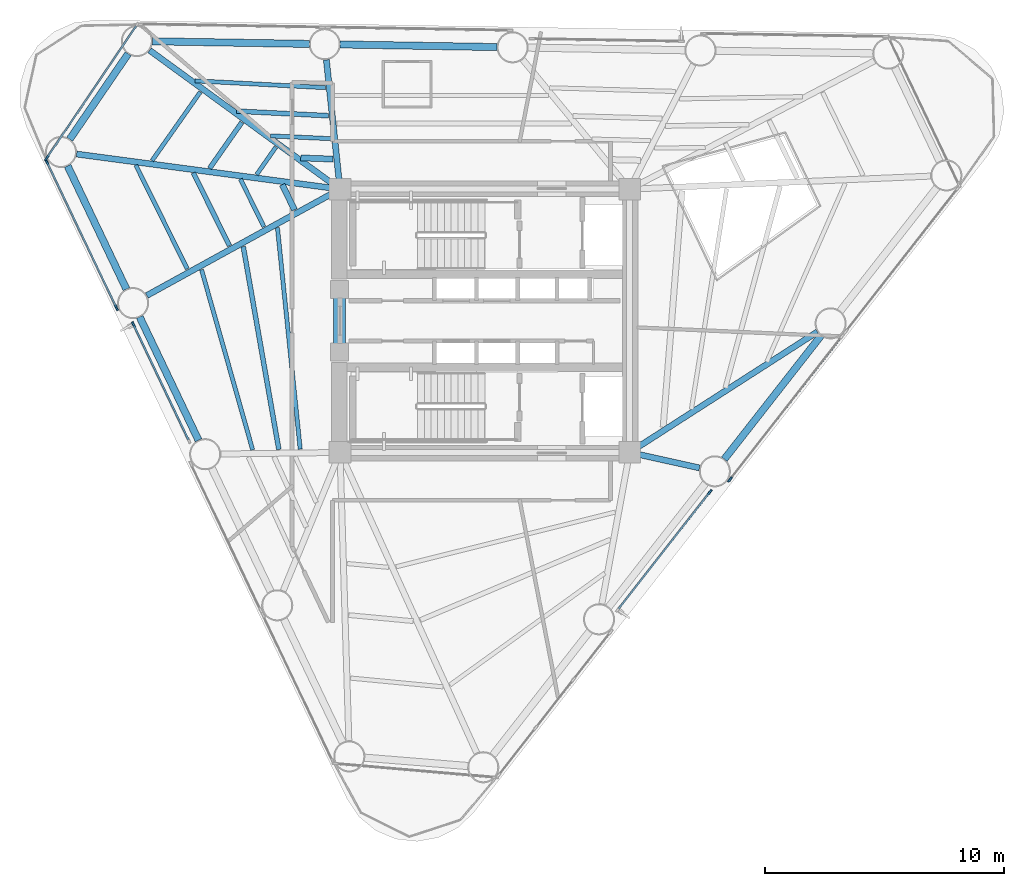
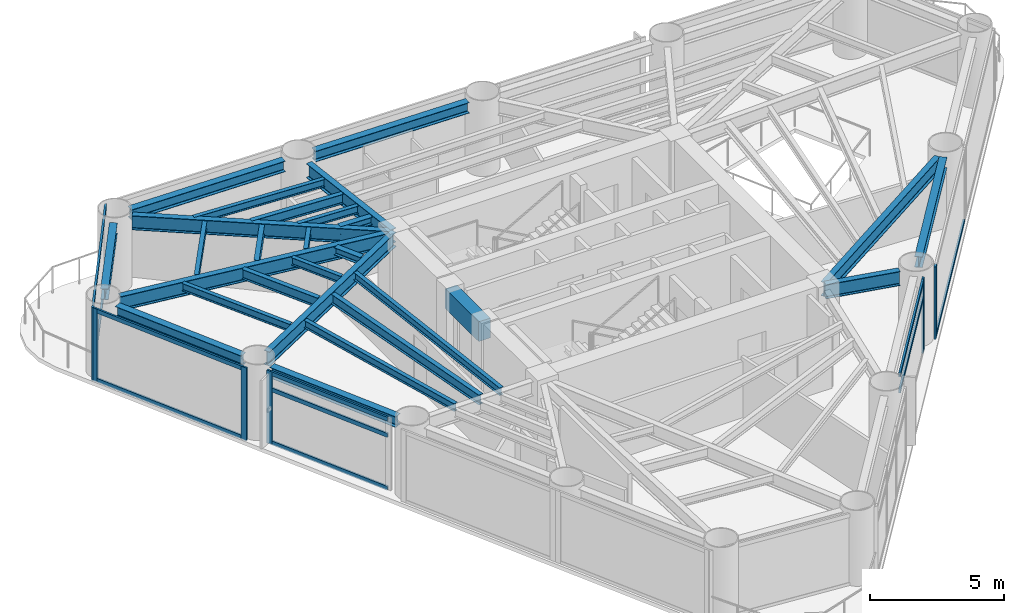
# One storey, part 3 of 11: 27 beams, 16 members, 5 elements without a shape of their own.
"""IFC4 building model written with IfcOpenShell, lengths in metres."""

from ifc_helpers import new_model, si_unit, direction, frame, origin, origin_2d, place, context, subcontext, project, spatial, rectangle, i_section, extrude, source, transform, mapped, material, layer, layer_set, material_profile, profile_set, type_object, element, aggregate, save


model = new_model("IFC4")

# Units and contexts
model_context = context("Model", 3, precision=1e-05, world=origin(), true_north=direction((0.0, 1.0)))
body_context = subcontext(model_context, "Body", "Model", "MODEL_VIEW")
ifc_project = project(units=[si_unit("LENGTHUNIT", "METRE"), si_unit("AREAUNIT", "SQUARE_METRE"), si_unit("VOLUMEUNIT", "CUBIC_METRE"), si_unit("PLANEANGLEUNIT", "RADIAN"), si_unit("MASSUNIT", "GRAM", prefix="KILO")], contexts=[model_context])

# Site, building, storey
site_placement = place(None, origin())
site = spatial("IfcSite", under=ifc_project, at=site_placement, CompositionType="ELEMENT")
building_placement = place(site_placement, origin())
building = spatial("IfcBuilding", under=site, at=building_placement, Name="Yunling Apex Tower", CompositionType="ELEMENT")
storey_placement = place(building_placement, frame((0.0, 0.0, 150.199951171875)))
storey = spatial("IfcBuildingStorey", under=building, at=storey_placement, Name="L37", CompositionType="ELEMENT", Elevation=150.199951171875)

# Beams
ifc_material_1 = material(Name="Concrete C50", Category="concrete")
ifc_material_profile_1 = material_profile(ifc_material_1, rectangle(XDim=0.5, YDim=0.89990234375, at=origin_2d()))
ifc_profile_set_1 = profile_set([ifc_material_profile_1], Name="Concrete C50")
beam_type_1 = type_object("IfcBeamType", Name="BC-CPL-2", PredefinedType="BEAM", material=ifc_profile_set_1)
shared_shape_1 = source(origin(), body_context, "Body", "SweptSolid", [
    extrude(rectangle(XDim=0.5, YDim=0.89990234375, at=origin_2d()), origin(), (0.0, 0.0, 1.0), 2.5),
])
beam_1_placement = place(storey_placement, frame((-6.074951171875, -1.25, 2.780029296875), z_axis=(0.0, 1.0, 0.0), x_axis=(-1.0, 0.0, 0.0)))
element("IfcBeam", 1, at=beam_1_placement, inside=storey, type_object=beam_type_1, Name="L37 Core West Portal Coupling Beam", PredefinedType="BEAM", context=body_context, shape_type="MappedRepresentation", body=[
    mapped(shared_shape_1, transform((0.0, 0.0, 0.0), scale=1.0)),
])
ifc_material_2 = material(Name="Steel Q355B", Category="steel")
ifc_material_profile_2 = material_profile(ifc_material_2, i_section(OverallWidth=0.300048828125, OverallDepth=0.489990234375, WebThickness=0.010986328125, FlangeThickness=0.01806640625, FilletRadius=0.02197265625, at=origin_2d()))
ifc_profile_set_2 = profile_set([ifc_material_profile_2], Name="Steel Q355B")
beam_type_2 = type_object("IfcBeamType", Name="BP-SPN-2", PredefinedType="SPANDREL", material=ifc_profile_set_2)
shared_shape_2 = source(origin(), body_context, "Body", "SweptSolid", [
    extrude(i_section(OverallWidth=0.300048828125, OverallDepth=0.489990234375, WebThickness=0.010986328125, FlangeThickness=0.01806640625, FilletRadius=0.02197265625, at=origin_2d()), origin(), (0.0, 0.0, 1.0), 6.562255859375),
])
beam_2_placement = place(storey_placement, frame((0.5166015625, 11.4375, 2.985107421875), z_axis=(-0.999859222118, 0.0167790329, 0.0), x_axis=(-0.0167790329, -0.999859222118, 0.0)))
element("IfcBeam", 2, at=beam_2_placement, inside=storey, type_object=beam_type_2, Name="L37 Perimeter Spandrel Beam 8", PredefinedType="SPANDREL", context=body_context, shape_type="MappedRepresentation", body=[
    mapped(shared_shape_2, transform((0.0, 0.0, 0.0), scale=1.0)),
])
shared_shape_3 = source(origin(), body_context, "Body", "SweptSolid", [
    extrude(i_section(OverallWidth=0.300048828125, OverallDepth=0.489990234375, WebThickness=0.010986328125, FlangeThickness=0.01806640625, FilletRadius=0.02197265625, at=origin_2d()), origin(), (0.0, 0.0, 1.0), 6.56201171875),
])
for number, where, z_axis, x_axis, name in (
    (3, (10.00732421875, -5.781982421875, 2.985107421875), (0.616233019323, 0.787563880518, 0.0), (-0.787563880518, 0.616233019323, 0.0), "L37 Perimeter Spandrel Beam 3"),
    (4, (-7.33251953125, 11.569091796875, 2.985107421875), (-0.999859211643, 0.016779657083, 0.0), (-0.016779657083, -0.999859211643, 0.0), "L37 Perimeter Spandrel Beam 9"),
):
    element("IfcBeam", number, at=place(storey_placement, frame(where, z_axis=z_axis, x_axis=x_axis)), inside=storey, type_object=beam_type_2, Name=name, PredefinedType="SPANDREL", context=body_context, shape_type="MappedRepresentation", body=[
        mapped(shared_shape_3, transform((0.0, 0.0, 0.0), scale=1.0)),
    ])
shared_shape_4 = source(origin(), body_context, "Body", "SweptSolid", [
    extrude(i_section(OverallWidth=0.300048828125, OverallDepth=0.489990234375, WebThickness=0.010986328125, FlangeThickness=0.01806640625, FilletRadius=0.02197265625, at=origin_2d()), origin(), (0.0, 0.0, 1.0), 4.328125),
])
beam_3_placement = place(storey_placement, frame((-14.901123046875, 11.158447265625, 2.985107421875), z_axis=(-0.564631339119, -0.825343232167, 0.0), x_axis=(0.825343232167, -0.564631339119, 0.0)))
element("IfcBeam", 5, at=beam_3_placement, inside=storey, type_object=beam_type_2, Name="L37 Perimeter Spandrel Beam 10", PredefinedType="SPANDREL", context=body_context, shape_type="MappedRepresentation", body=[
    mapped(shared_shape_4, transform((0.0, 0.0, 0.0), scale=1.0)),
])
shared_shape_5 = source(origin(), body_context, "Body", "SweptSolid", [
    extrude(i_section(OverallWidth=0.300048828125, OverallDepth=0.489990234375, WebThickness=0.010986328125, FlangeThickness=0.01806640625, FilletRadius=0.02197265625, at=origin_2d()), origin(), (0.0, 0.0, 1.0), 5.70751953125),
])
for number, where, z_axis, x_axis, name in (
    (6, (-17.431396484375, 6.473388671875, 2.985107421875), (0.430539541488, -0.902571716383, 0.0), (0.902571716383, 0.430539541488, 0.0), "L37 Perimeter Spandrel Beam 11"),
    (7, (-14.419677734375, 0.1591796875, 2.985107421875), (0.430539541488, -0.902571716383, 0.0), (0.902571716383, 0.430539541488, 0.0), "L37 Perimeter Spandrel Beam 12"),
):
    element("IfcBeam", number, at=place(storey_placement, frame(where, z_axis=z_axis, x_axis=x_axis)), inside=storey, type_object=beam_type_2, Name=name, PredefinedType="SPANDREL", context=body_context, shape_type="MappedRepresentation", body=[
        mapped(shared_shape_5, transform((0.0, 0.0, 0.0), scale=1.0)),
    ])
ifc_material_profile_3 = material_profile(ifc_material_2, i_section(OverallWidth=0.25, OverallDepth=0.64990234375, WebThickness=0.011962890625, FlangeThickness=0.02001953125, FilletRadius=0.02392578125, at=origin_2d()))
ifc_profile_set_3 = profile_set([ifc_material_profile_3], Name="Steel Q355B")
beam_type_3 = type_object("IfcBeamType", Name="BG-PRI-4", PredefinedType="USERDEFINED", material=ifc_profile_set_3)
shared_shape_6 = source(origin(), body_context, "Body", "SweptSolid", [
    extrude(i_section(OverallWidth=0.25, OverallDepth=0.64990234375, WebThickness=0.011962890625, FlangeThickness=0.02001953125, FilletRadius=0.02392578125, at=origin_2d()), origin(), (0.0, 0.0, 1.0), 2.908935546875),
])
beam_4_placement = place(storey_placement, frame((8.96826171875, -6.14697265625, 2.905029296875), z_axis=(-0.976295546219, 0.216441692917, 0.0), x_axis=(-0.216441692917, -0.976295546219, 0.0)))
element("IfcBeam", 8, at=beam_4_placement, inside=storey, type_object=beam_type_3, Name="L37 Radial Primary Girder R03", ObjectType="GIRDER", PredefinedType="USERDEFINED", context=body_context, shape_type="MappedRepresentation", body=[
    mapped(shared_shape_6, transform((0.0, 0.0, 0.0), scale=1.0)),
])
shared_shape_7 = source(origin(), body_context, "Body", "SweptSolid", [
    extrude(i_section(OverallWidth=0.25, OverallDepth=0.64990234375, WebThickness=0.011962890625, FlangeThickness=0.02001953125, FilletRadius=0.02392578125, at=origin_2d()), origin(), (0.0, 0.0, 1.0), 9.24267578125),
])
beam_5_placement = place(storey_placement, frame((13.894287109375, -0.46240234375, 2.905029296875), z_axis=(-0.841433276896, -0.540361027954, 0.0), x_axis=(0.540361027954, -0.841433276896, 0.0)))
element("IfcBeam", 9, at=beam_5_placement, inside=storey, type_object=beam_type_3, Name="L37 Radial Primary Girder R04", ObjectType="GIRDER", PredefinedType="USERDEFINED", context=body_context, shape_type="MappedRepresentation", body=[
    mapped(shared_shape_7, transform((0.0, 0.0, 0.0), scale=1.0)),
])
shared_shape_8 = source(origin(), body_context, "Body", "SweptSolid", [
    extrude(i_section(OverallWidth=0.25, OverallDepth=0.64990234375, WebThickness=0.011962890625, FlangeThickness=0.02001953125, FilletRadius=0.02392578125, at=origin_2d()), origin(), (0.0, 0.0, 1.0), 5.35400390625),
])
beam_6_placement = place(storey_placement, frame((-6.619384765625, 10.904052734375, 2.905029296875), z_axis=(0.104789227106, -0.99449445342, 0.0), x_axis=(0.99449445342, 0.104789227106, 0.0)))
element("IfcBeam", 10, at=beam_6_placement, inside=storey, type_object=beam_type_3, Name="L37 Radial Primary Girder R09", ObjectType="GIRDER", PredefinedType="USERDEFINED", context=body_context, shape_type="MappedRepresentation", body=[
    mapped(shared_shape_8, transform((0.0, 0.0, 0.0), scale=1.0)),
])
shared_shape_9 = source(origin(), body_context, "Body", "SweptSolid", [
    extrude(i_section(OverallWidth=0.25, OverallDepth=0.64990234375, WebThickness=0.011962890625, FlangeThickness=0.02001953125, FilletRadius=0.02392578125, at=origin_2d()), origin(), (0.0, 0.0, 1.0), 9.76708984375),
])
beam_7_placement = place(storey_placement, frame((-14.005859375, 11.30224609375, 2.905029296875), z_axis=(0.807958193343, -0.589239813497, 0.0), x_axis=(0.589239813497, 0.807958193343, 0.0)))
element("IfcBeam", 11, at=beam_7_placement, inside=storey, type_object=beam_type_3, Name="L37 Radial Primary Girder R10", ObjectType="GIRDER", PredefinedType="USERDEFINED", context=body_context, shape_type="MappedRepresentation", body=[
    mapped(shared_shape_9, transform((0.0, 0.0, 0.0), scale=1.0)),
])
shared_shape_10 = source(origin(), body_context, "Body", "SweptSolid", [
    extrude(i_section(OverallWidth=0.25, OverallDepth=0.64990234375, WebThickness=0.011962890625, FlangeThickness=0.02001953125, FilletRadius=0.02392578125, at=origin_2d()), origin(), (0.0, 0.0, 1.0), 11.023681640625),
])
beam_8_placement = place(storey_placement, frame((-17.056396484375, 6.9677734375, 2.905029296875), z_axis=(0.991223838358, -0.132194183952, 0.0), x_axis=(0.132194183952, 0.991223838358, 0.0)))
element("IfcBeam", 12, at=beam_8_placement, inside=storey, type_object=beam_type_3, Name="L37 Radial Primary Girder R11", ObjectType="GIRDER", PredefinedType="USERDEFINED", context=body_context, shape_type="MappedRepresentation", body=[
    mapped(shared_shape_10, transform((0.0, 0.0, 0.0), scale=1.0)),
])
shared_shape_11 = source(origin(), body_context, "Body", "SweptSolid", [
    extrude(i_section(OverallWidth=0.25, OverallDepth=0.64990234375, WebThickness=0.011962890625, FlangeThickness=0.02001953125, FilletRadius=0.02392578125, at=origin_2d()), origin(), (0.0, 0.0, 1.0), 9.132080078125),
])
beam_9_placement = place(storey_placement, frame((-14.120361328125, 1.057861328125, 2.905029296875), z_axis=(0.876057251214, 0.482207105501, 0.0), x_axis=(-0.482207105501, 0.876057251214, 0.0)))
element("IfcBeam", 13, at=beam_9_placement, inside=storey, type_object=beam_type_3, Name="L37 Radial Primary Girder R12", ObjectType="GIRDER", PredefinedType="USERDEFINED", context=body_context, shape_type="MappedRepresentation", body=[
    mapped(shared_shape_11, transform((0.0, 0.0, 0.0), scale=1.0)),
])
ifc_material_profile_4 = material_profile(ifc_material_2, i_section(OverallWidth=0.199951171875, OverallDepth=0.449951171875, WebThickness=0.009033203125, FlangeThickness=0.013916015625, FilletRadius=0.01806640625, at=origin_2d()))
ifc_profile_set_4 = profile_set([ifc_material_profile_4], Name="Steel Q355B")
beam_type_4 = type_object("IfcBeamType", Name="BS-SEC-3", PredefinedType="BEAM", material=ifc_profile_set_4)
shared_shape_12 = source(origin(), body_context, "Body", "SweptSolid", [
    extrude(i_section(OverallWidth=0.199951171875, OverallDepth=0.449951171875, WebThickness=0.009033203125, FlangeThickness=0.013916015625, FilletRadius=0.01806640625, at=origin_2d()), origin(), (0.0, 0.0, 1.0), 3.84619140625),
])
beam_10_placement = place(storey_placement, frame((-6.532470703125, 8.5693359375, 3.005126953125), z_axis=(-0.998745046624, 0.050083249128, 0.0), x_axis=(-0.050083249128, -0.998745046624, 0.0)))
element("IfcBeam", 14, at=beam_10_placement, inside=storey, type_object=beam_type_4, Name="L37 Composite Floor Beam BS-9", PredefinedType="BEAM", context=body_context, shape_type="MappedRepresentation", body=[
    mapped(shared_shape_12, transform((0.0, 0.0, 0.0), scale=1.0)),
])
ifc_material_profile_5 = material_profile(ifc_material_2, i_section(OverallWidth=0.175048828125, OverallDepth=0.35009765625, WebThickness=0.007080078125, FlangeThickness=0.010986328125, FilletRadius=0.013916015625, at=origin_2d()))
ifc_profile_set_5 = profile_set([ifc_material_profile_5], Name="Steel Q355B")
beam_type_5 = type_object("IfcBeamType", Name="BJ-JST-1", PredefinedType="JOIST", material=ifc_profile_set_5)
shared_shape_13 = source(origin(), body_context, "Body", "SweptSolid", [
    extrude(i_section(OverallWidth=0.175048828125, OverallDepth=0.35009765625, WebThickness=0.007080078125, FlangeThickness=0.010986328125, FilletRadius=0.013916015625, at=origin_2d()), origin(), (0.0, 0.0, 1.0), 5.4619140625),
])
beam_11_placement = place(storey_placement, frame((-6.65576171875, 9.740966796875, 3.054931640625), z_axis=(-0.998619804272, 0.052521295825, 0.0), x_axis=(-0.052521295825, -0.998619804272, 0.0)))
element("IfcBeam", 15, at=beam_11_placement, inside=storey, type_object=beam_type_5, Name="L37 Composite Floor Joist BJ1-9", PredefinedType="JOIST", context=body_context, shape_type="MappedRepresentation", body=[
    mapped(shared_shape_13, transform((0.0, 0.0, 0.0), scale=1.0)),
])
shared_shape_14 = source(origin(), body_context, "Body", "SweptSolid", [
    extrude(i_section(OverallWidth=0.175048828125, OverallDepth=0.35009765625, WebThickness=0.007080078125, FlangeThickness=0.010986328125, FilletRadius=0.013916015625, at=origin_2d()), origin(), (0.0, 0.0, 1.0), 2.52490234375),
])
beam_12_placement = place(storey_placement, frame((-6.431396484375, 7.6103515625, 3.054931640625), z_axis=(-0.998935787548, 0.046122579679, 0.0), x_axis=(-0.046122579679, -0.998935787548, 0.0)))
element("IfcBeam", 16, at=beam_12_placement, inside=storey, type_object=beam_type_5, Name="L37 Composite Floor Joist BJ3-9", PredefinedType="JOIST", context=body_context, shape_type="MappedRepresentation", body=[
    mapped(shared_shape_14, transform((0.0, 0.0, 0.0), scale=1.0)),
])
ifc_material_profile_6 = material_profile(ifc_material_2, i_section(OverallWidth=0.25, OverallDepth=0.340087890625, WebThickness=0.009033203125, FlangeThickness=0.013916015625, FilletRadius=0.01806640625, at=origin_2d()))
ifc_profile_set_6 = profile_set([ifc_material_profile_6], Name="Steel Q355B")
beam_type_6 = type_object("IfcBeamType", Name="BJ-JST-2", PredefinedType="JOIST", material=ifc_profile_set_6)
shared_shape_15 = source(origin(), body_context, "Body", "SweptSolid", [
    extrude(i_section(OverallWidth=0.25, OverallDepth=0.340087890625, WebThickness=0.009033203125, FlangeThickness=0.013916015625, FilletRadius=0.01806640625, at=origin_2d()), origin(), (0.0, 0.0, 1.0), 1.35009765625),
])
beam_13_placement = place(storey_placement, frame((-6.341796875, 6.7568359375, 3.06005859375), z_axis=(-0.999299138543, 0.03743302962, 0.0), x_axis=(-0.03743302962, -0.999299138543, 0.0)))
element("IfcBeam", 17, at=beam_13_placement, inside=storey, type_object=beam_type_6, Name="L37 Composite Floor Joist BJ2-9", PredefinedType="JOIST", context=body_context, shape_type="MappedRepresentation", body=[
    mapped(shared_shape_15, transform((0.0, 0.0, 0.0), scale=1.0)),
])
shared_shape_16 = source(origin(), body_context, "Body", "SweptSolid", [
    extrude(i_section(OverallWidth=0.199951171875, OverallDepth=0.449951171875, WebThickness=0.009033203125, FlangeThickness=0.013916015625, FilletRadius=0.01806640625, at=origin_2d()), origin(), (0.0, 0.0, 1.0), 2.349365234375),
])
beam_14_placement = place(storey_placement, frame((-10.152099609375, 8.293701171875, 3.005126953125), z_axis=(-0.574138652216, -0.818758088834, 0.0), x_axis=(0.818758088834, -0.574138652216, 0.0)))
element("IfcBeam", 18, at=beam_14_placement, inside=storey, type_object=beam_type_4, Name="L37 Composite Floor Beam BS-10", PredefinedType="BEAM", context=body_context, shape_type="MappedRepresentation", body=[
    mapped(shared_shape_16, transform((0.0, 0.0, 0.0), scale=1.0)),
])
shared_shape_17 = source(origin(), body_context, "Body", "SweptSolid", [
    extrude(i_section(OverallWidth=0.175048828125, OverallDepth=0.35009765625, WebThickness=0.007080078125, FlangeThickness=0.010986328125, FilletRadius=0.013916015625, at=origin_2d()), origin(), (0.0, 0.0, 1.0), 3.5068359375),
])
beam_15_placement = place(storey_placement, frame((-11.88818359375, 9.559814453125, 3.054931640625), z_axis=(-0.575031163817, -0.818131505712, 0.0), x_axis=(0.818131505712, -0.575031163817, 0.0)))
element("IfcBeam", 19, at=beam_15_placement, inside=storey, type_object=beam_type_5, Name="L37 Composite Floor Joist BJ1-10", PredefinedType="JOIST", context=body_context, shape_type="MappedRepresentation", body=[
    mapped(shared_shape_17, transform((0.0, 0.0, 0.0), scale=1.0)),
])
shared_shape_18 = source(origin(), body_context, "Body", "SweptSolid", [
    extrude(i_section(OverallWidth=0.175048828125, OverallDepth=0.35009765625, WebThickness=0.007080078125, FlangeThickness=0.010986328125, FilletRadius=0.013916015625, at=origin_2d()), origin(), (0.0, 0.0, 1.0), 1.40185546875),
])
beam_16_placement = place(storey_placement, frame((-8.7314453125, 7.257568359375, 3.054931640625), z_axis=(-0.572573774169, -0.819853202186, 0.0), x_axis=(0.819853202186, -0.572573774169, 0.0)))
element("IfcBeam", 20, at=beam_16_placement, inside=storey, type_object=beam_type_5, Name="L37 Composite Floor Joist BJ3-10", PredefinedType="JOIST", context=body_context, shape_type="MappedRepresentation", body=[
    mapped(shared_shape_18, transform((0.0, 0.0, 0.0), scale=1.0)),
])
shared_shape_19 = source(origin(), body_context, "Body", "SweptSolid", [
    extrude(i_section(OverallWidth=0.199951171875, OverallDepth=0.449951171875, WebThickness=0.009033203125, FlangeThickness=0.013916015625, FilletRadius=0.01806640625, at=origin_2d()), origin(), (0.0, 0.0, 1.0), 3.396484375),
])
beam_17_placement = place(storey_placement, frame((-12.177490234375, 6.18310546875, 3.005126953125), z_axis=(0.443500732864, -0.896274009413, 0.0), x_axis=(0.896274009413, 0.443500732864, 0.0)))
element("IfcBeam", 21, at=beam_17_placement, inside=storey, type_object=beam_type_4, Name="L37 Composite Floor Beam BS-11", PredefinedType="BEAM", context=body_context, shape_type="MappedRepresentation", body=[
    mapped(shared_shape_19, transform((0.0, 0.0, 0.0), scale=1.0)),
])
shared_shape_20 = source(origin(), body_context, "Body", "SweptSolid", [
    extrude(i_section(OverallWidth=0.175048828125, OverallDepth=0.35009765625, WebThickness=0.007080078125, FlangeThickness=0.010986328125, FilletRadius=0.013916015625, at=origin_2d()), origin(), (0.0, 0.0, 1.0), 4.837890625),
])
beam_18_placement = place(storey_placement, frame((-14.581298828125, 6.50390625, 3.054931640625), z_axis=(0.444385383115, -0.895835716677, 0.0), x_axis=(0.895835716677, 0.444385383115, 0.0)))
element("IfcBeam", 22, at=beam_18_placement, inside=storey, type_object=beam_type_5, Name="L37 Composite Floor Joist BJ1-11", PredefinedType="JOIST", context=body_context, shape_type="MappedRepresentation", body=[
    mapped(shared_shape_20, transform((0.0, 0.0, 0.0), scale=1.0)),
])
shared_shape_21 = source(origin(), body_context, "Body", "SweptSolid", [
    extrude(i_section(OverallWidth=0.175048828125, OverallDepth=0.35009765625, WebThickness=0.007080078125, FlangeThickness=0.010986328125, FilletRadius=0.013916015625, at=origin_2d()), origin(), (0.0, 0.0, 1.0), 2.217529296875),
])
beam_19_placement = place(storey_placement, frame((-10.2109375, 5.9208984375, 3.054931640625), z_axis=(0.441921230905, -0.897053858848, 0.0), x_axis=(0.897053858848, 0.441921230905, 0.0)))
element("IfcBeam", 23, at=beam_19_placement, inside=storey, type_object=beam_type_5, Name="L37 Composite Floor Joist BJ3-11", PredefinedType="JOIST", context=body_context, shape_type="MappedRepresentation", body=[
    mapped(shared_shape_21, transform((0.0, 0.0, 0.0), scale=1.0)),
])
shared_shape_22 = source(origin(), body_context, "Body", "SweptSolid", [
    extrude(i_section(OverallWidth=0.25, OverallDepth=0.340087890625, WebThickness=0.009033203125, FlangeThickness=0.013916015625, FilletRadius=0.01806640625, at=origin_2d()), origin(), (0.0, 0.0, 1.0), 1.16943359375),
])
beam_20_placement = place(storey_placement, frame((-8.463134765625, 5.6875, 3.06005859375), z_axis=(0.438592252634, -0.898686172103, 0.0), x_axis=(0.898686172103, 0.438592252634, 0.0)))
element("IfcBeam", 24, at=beam_20_placement, inside=storey, type_object=beam_type_6, Name="L37 Composite Floor Joist BJ2-11", PredefinedType="JOIST", context=body_context, shape_type="MappedRepresentation", body=[
    mapped(shared_shape_22, transform((0.0, 0.0, 0.0), scale=1.0)),
])
shared_shape_23 = source(origin(), body_context, "Body", "SweptSolid", [
    extrude(i_section(OverallWidth=0.199951171875, OverallDepth=0.449951171875, WebThickness=0.009033203125, FlangeThickness=0.013916015625, FilletRadius=0.01806640625, at=origin_2d()), origin(), (0.0, 0.0, 1.0), 8.60693359375),
])
beam_21_placement = place(storey_placement, frame((-10.092529296875, 3.10205078125, 3.005126953125), z_axis=(0.172691332669, -0.984975991393, 0.0), x_axis=(0.984975991393, 0.172691332669, 0.0)))
element("IfcBeam", 25, at=beam_21_placement, inside=storey, type_object=beam_type_4, Name="L37 Composite Floor Beam BS-12", PredefinedType="BEAM", context=body_context, shape_type="MappedRepresentation", body=[
    mapped(shared_shape_23, transform((0.0, 0.0, 0.0), scale=1.0)),
])
shared_shape_24 = source(origin(), body_context, "Body", "SweptSolid", [
    extrude(i_section(OverallWidth=0.175048828125, OverallDepth=0.35009765625, WebThickness=0.007080078125, FlangeThickness=0.010986328125, FilletRadius=0.013916015625, at=origin_2d()), origin(), (0.0, 0.0, 1.0), 7.82763671875),
])
beam_22_placement = place(storey_placement, frame((-11.836669921875, 2.136962890625, 3.054931640625), z_axis=(0.273002905438, -0.962013208653, 0.0), x_axis=(0.962013208653, 0.273002905438, 0.0)))
element("IfcBeam", 26, at=beam_22_placement, inside=storey, type_object=beam_type_5, Name="L37 Composite Floor Joist BJ1-12", PredefinedType="JOIST", context=body_context, shape_type="MappedRepresentation", body=[
    mapped(shared_shape_24, transform((0.0, 0.0, 0.0), scale=1.0)),
])
shared_shape_25 = source(origin(), body_context, "Body", "SweptSolid", [
    extrude(i_section(OverallWidth=0.175048828125, OverallDepth=0.35009765625, WebThickness=0.007080078125, FlangeThickness=0.010986328125, FilletRadius=0.013916015625, at=origin_2d()), origin(), (0.0, 0.0, 1.0), 9.303955078125),
])
beam_23_placement = place(storey_placement, frame((-8.663818359375, 3.89306640625, 3.054931640625), z_axis=(0.102153373674, -0.994768660668, 0.0), x_axis=(0.994768660668, 0.102153373674, 0.0)))
element("IfcBeam", 27, at=beam_23_placement, inside=storey, type_object=beam_type_5, Name="L37 Composite Floor Joist BJ3-12", PredefinedType="JOIST", context=body_context, shape_type="MappedRepresentation", body=[
    mapped(shared_shape_25, transform((0.0, 0.0, 0.0), scale=1.0)),
])

# Curtain wall, members
ifc_material_3 = material(Name="Bronze anodised aluminium", Category="aluminium")
ifc_layer = layer(ifc_material_3, 0.239990234375)
ifc_layer_set = layer_set([ifc_layer], Name="Bronze anodised aluminium")
curtain_wall_type = type_object("IfcCurtainWallType", Name="CW-SYS-3", PredefinedType="NOTDEFINED", material=ifc_layer_set)
curtain_wall_1_placement = place(storey_placement, origin())
curtain_wall_1 = element("IfcCurtainWall", 28, at=curtain_wall_1_placement, inside=storey, type_object=curtain_wall_type, Name="CW-L37-F1-B2", PredefinedType="NOTDEFINED")
ifc_material_profile_7 = material_profile(ifc_material_3, rectangle(XDim=0.080078125, YDim=0.18505859375, at=origin_2d()))
ifc_profile_set_7 = profile_set([ifc_material_profile_7], Name="Bronze anodised aluminium")
member_type_1 = type_object("IfcMemberType", Name="CW-TRN-3", PredefinedType="USERDEFINED", material=ifc_profile_set_7)
shared_shape_26 = source(origin(), body_context, "Body", "SweptSolid", [
    extrude(rectangle(XDim=0.080078125, YDim=0.18505859375, at=origin_2d()), origin(), (0.0, 0.0, 1.0), 6.158203125),
])
member_1_placement = place(storey_placement, frame((5.5859375, -12.03369140625, 2.454833984375), z_axis=(0.616202427613, 0.787587816185, 0.0), x_axis=(-0.787587816185, 0.616202427613, 0.0)))
member_1 = element("IfcMember", 29, at=member_1_placement, type_object=member_type_1, Name="CW-SYS-3 transom 1.2", ObjectType="TRANSOM", PredefinedType="USERDEFINED", context=body_context, shape_type="MappedRepresentation", body=[
    mapped(shared_shape_26, transform((0.0, 0.0, 0.0), scale=1.0)),
])
member_2_placement = place(storey_placement, frame((5.5859375, -12.03369140625, 3.18994140625), z_axis=(0.616202427613, 0.787587816185, 0.0), x_axis=(-0.787587816185, 0.616202427613, 0.0)))
member_2 = element("IfcMember", 30, at=member_2_placement, type_object=member_type_1, Name="CW-SYS-3 transom 1.3", ObjectType="TRANSOM", PredefinedType="USERDEFINED", context=body_context, shape_type="MappedRepresentation", body=[
    mapped(shared_shape_26, transform((0.0, 0.0, 0.0), scale=1.0)),
])

# Curtain wall, member
curtain_wall_2_placement = place(storey_placement, origin())
curtain_wall_2 = element("IfcCurtainWall", 31, at=curtain_wall_2_placement, inside=storey, type_object=curtain_wall_type, Name="CW-L37-F1-B3", PredefinedType="NOTDEFINED")
shared_shape_27 = source(origin(), body_context, "Body", "SweptSolid", [
    extrude(rectangle(XDim=0.080078125, YDim=0.18505859375, at=origin_2d()), origin(), (0.0, 0.0, 1.0), 7.5380859375),
])
member_3_placement = place(storey_placement, frame((10.265869140625, -6.603759765625, 0.0400390625), z_axis=(0.616213940974, 0.787578808088, 0.0), x_axis=(-0.787578808088, 0.616213940974, 0.0)))
member_3 = element("IfcMember", 32, at=member_3_placement, type_object=member_type_1, Name="CW-SYS-3 transom 1.1", ObjectType="TRANSOM", PredefinedType="USERDEFINED", context=body_context, shape_type="MappedRepresentation", body=[
    mapped(shared_shape_27, transform((0.0, 0.0, 0.0), scale=1.0)),
])

# Curtain wall, members
curtain_wall_3_placement = place(storey_placement, origin())
curtain_wall_3 = element("IfcCurtainWall", 33, at=curtain_wall_3_placement, inside=storey, type_object=curtain_wall_type, Name="CW-L37-CRN2", PredefinedType="NOTDEFINED")
shared_shape_28 = source(origin(), body_context, "Body", "SweptSolid", [
    extrude(rectangle(XDim=0.080078125, YDim=0.18505859375, at=origin_2d()), origin(), (0.0, 0.0, 1.0), 6.63671875),
])
member_4_placement = place(storey_placement, frame((-14.568603515625, 12.31689453125, 0.0400390625), z_axis=(-0.560543901892, -0.828124709239, 0.0), x_axis=(0.828124709239, -0.560543901892, 0.0)))
member_4 = element("IfcMember", 34, at=member_4_placement, type_object=member_type_1, Name="CW-SYS-3 transom 1.1", ObjectType="TRANSOM", PredefinedType="USERDEFINED", context=body_context, shape_type="MappedRepresentation", body=[
    mapped(shared_shape_28, transform((0.0, 0.0, 0.0), scale=1.0)),
])
member_5_placement = place(storey_placement, frame((-14.568603515625, 12.31689453125, 3.18994140625), z_axis=(-0.560543901892, -0.828124709239, 0.0), x_axis=(0.828124709239, -0.560543901892, 0.0)))
member_5 = element("IfcMember", 35, at=member_5_placement, type_object=member_type_1, Name="CW-SYS-3 transom 1.2", ObjectType="TRANSOM", PredefinedType="USERDEFINED", context=body_context, shape_type="MappedRepresentation", body=[
    mapped(shared_shape_28, transform((0.0, 0.0, 0.0), scale=1.0)),
])

curtain_wall_4_placement = place(storey_placement, origin())
curtain_wall_4 = element("IfcCurtainWall", 36, at=curtain_wall_4_placement, inside=storey, type_object=curtain_wall_type, Name="CW-L37-F3-B1", PredefinedType="NOTDEFINED")
shared_shape_29 = source(origin(), body_context, "Body", "SweptSolid", [
    extrude(rectangle(XDim=0.080078125, YDim=0.18505859375, at=origin_2d()), origin(), (0.0, 0.0, 1.0), 6.683837890625),
])
member_6_placement = place(storey_placement, frame((-18.2822265625, 6.6083984375, 0.0400390625), z_axis=(0.430509150299, -0.902586212785, 0.0), x_axis=(0.902586212785, 0.430509150299, 0.0)))
member_6 = element("IfcMember", 37, at=member_6_placement, type_object=member_type_1, Name="CW-SYS-3 transom 1.1", ObjectType="TRANSOM", PredefinedType="USERDEFINED", context=body_context, shape_type="MappedRepresentation", body=[
    mapped(shared_shape_29, transform((0.0, 0.0, 0.0), scale=1.0)),
])
member_7_placement = place(storey_placement, frame((-18.2822265625, 6.6083984375, 3.18994140625), z_axis=(0.430509150299, -0.902586212785, 0.0), x_axis=(0.902586212785, 0.430509150299, 0.0)))
member_7 = element("IfcMember", 38, at=member_7_placement, type_object=member_type_1, Name="CW-SYS-3 transom 1.2", ObjectType="TRANSOM", PredefinedType="USERDEFINED", context=body_context, shape_type="MappedRepresentation", body=[
    mapped(shared_shape_29, transform((0.0, 0.0, 0.0), scale=1.0)),
])

curtain_wall_5_placement = place(storey_placement, origin())
curtain_wall_5 = element("IfcCurtainWall", 39, at=curtain_wall_5_placement, inside=storey, type_object=curtain_wall_type, Name="CW-L37-F3-B2", PredefinedType="NOTDEFINED")
shared_shape_30 = source(origin(), body_context, "Body", "SweptSolid", [
    extrude(rectangle(XDim=0.080078125, YDim=0.18505859375, at=origin_2d()), origin(), (0.0, 0.0, 1.0), 5.303466796875),
])
member_8_placement = place(storey_placement, frame((-14.66650390625, -0.182373046875, 0.0400390625), z_axis=(0.43050887408, -0.902586344534, 0.0), x_axis=(0.902586344534, 0.43050887408, 0.0)))
member_8 = element("IfcMember", 40, at=member_8_placement, type_object=member_type_1, Name="CW-SYS-3 transom 1.1", ObjectType="TRANSOM", PredefinedType="USERDEFINED", context=body_context, shape_type="MappedRepresentation", body=[
    mapped(shared_shape_30, transform((0.0, 0.0, 0.0), scale=1.0)),
])
member_9_placement = place(storey_placement, frame((-14.66650390625, -0.182373046875, 2.454833984375), z_axis=(0.43050887408, -0.902586344534, 0.0), x_axis=(0.902586344534, 0.43050887408, 0.0)))
member_9 = element("IfcMember", 41, at=member_9_placement, type_object=member_type_1, Name="CW-SYS-3 transom 1.2", ObjectType="TRANSOM", PredefinedType="USERDEFINED", context=body_context, shape_type="MappedRepresentation", body=[
    mapped(shared_shape_30, transform((0.0, 0.0, 0.0), scale=1.0)),
])
member_10_placement = place(storey_placement, frame((-14.66650390625, -0.182373046875, 3.18994140625), z_axis=(0.43050887408, -0.902586344534, 0.0), x_axis=(0.902586344534, 0.43050887408, 0.0)))
member_10 = element("IfcMember", 42, at=member_10_placement, type_object=member_type_1, Name="CW-SYS-3 transom 1.3", ObjectType="TRANSOM", PredefinedType="USERDEFINED", context=body_context, shape_type="MappedRepresentation", body=[
    mapped(shared_shape_30, transform((0.0, 0.0, 0.0), scale=1.0)),
])

# Member
ifc_material_profile_8 = material_profile(ifc_material_3, rectangle(XDim=0.080078125, YDim=0.239990234375, at=origin_2d()))
ifc_profile_set_8 = profile_set([ifc_material_profile_8], Name="Bronze anodised aluminium")
member_type_2 = type_object("IfcMemberType", Name="CW-MUL-3", PredefinedType="MULLION", material=ifc_profile_set_8)
shared_shape_31 = source(origin(), body_context, "Body", "SweptSolid", [
    extrude(rectangle(XDim=0.080078125, YDim=0.239990234375, at=origin_2d()), origin(), (0.0, 0.0, 1.0), 3.330078125),
])
member_11_placement = place(storey_placement, frame((9.40283203125, -7.1552734375, -0.050048828125), z_axis=(0.0, 0.0, 1.0), x_axis=(-0.787590269126, 0.616199292419, 0.0)))
member_11 = element("IfcMember", 43, at=member_11_placement, type_object=member_type_2, Name="CW-SYS-3 mullion 2", PredefinedType="MULLION", context=body_context, shape_type="MappedRepresentation", body=[
    mapped(shared_shape_31, transform((0.0, 0.0, 0.0), scale=1.0)),
])

aggregate(curtain_wall_1, [member_11, member_1, member_2])

member_12_placement = place(storey_placement, frame((10.24365234375, -6.632080078125, -0.050048828125), z_axis=(0.0, 0.0, 1.0), x_axis=(-0.787583748686, 0.616207626377, 0.0)))
member_12 = element("IfcMember", 44, at=member_12_placement, type_object=member_type_2, Name="CW-SYS-3 mullion 1", PredefinedType="MULLION", context=body_context, shape_type="MappedRepresentation", body=[
    mapped(shared_shape_31, transform((0.0, 0.0, 0.0), scale=1.0)),
])

aggregate(curtain_wall_2, [member_12, member_3])

member_13_placement = place(storey_placement, frame((-18.308837890625, 6.791015625, -0.050048828125), z_axis=(0.0, 0.0, 1.0), x_axis=(0.82813882115, -0.560523052964, 0.0)))
member_13 = element("IfcMember", 45, at=member_13_placement, type_object=member_type_2, Name="CW-SYS-3 mullion 2", PredefinedType="MULLION", context=body_context, shape_type="MappedRepresentation", body=[
    mapped(shared_shape_31, transform((0.0, 0.0, 0.0), scale=1.0)),
])

aggregate(curtain_wall_3, [member_13, member_4, member_5])

member_14_placement = place(storey_placement, frame((-18.297607421875, 6.640869140625, -0.050048828125), z_axis=(0.0, 0.0, 1.0), x_axis=(0.902587765133, 0.4305058957, 0.0)))
member_14 = element("IfcMember", 46, at=member_14_placement, type_object=member_type_2, Name="CW-SYS-3 mullion 1", PredefinedType="MULLION", context=body_context, shape_type="MappedRepresentation", body=[
    mapped(shared_shape_31, transform((0.0, 0.0, 0.0), scale=1.0)),
])

member_15_placement = place(storey_placement, frame((-15.389404296875, 0.543212890625, -0.050048828125), z_axis=(0.0, 0.0, 1.0), x_axis=(0.902587765133, 0.4305058957, 0.0)))
member_15 = element("IfcMember", 47, at=member_15_placement, type_object=member_type_2, Name="CW-SYS-3 mullion 2", PredefinedType="MULLION", context=body_context, shape_type="MappedRepresentation", body=[
    mapped(shared_shape_31, transform((0.0, 0.0, 0.0), scale=1.0)),
])

aggregate(curtain_wall_4, [member_14, member_15, member_6, member_7])

member_16_placement = place(storey_placement, frame((-14.68212890625, -0.14990234375, -0.050048828125), z_axis=(0.0, 0.0, 1.0), x_axis=(0.902579794247, 0.430522606859, 0.0)))
member_16 = element("IfcMember", 48, at=member_16_placement, type_object=member_type_2, Name="CW-SYS-3 mullion 1", PredefinedType="MULLION", context=body_context, shape_type="MappedRepresentation", body=[
    mapped(shared_shape_31, transform((0.0, 0.0, 0.0), scale=1.0)),
])

aggregate(curtain_wall_5, [member_16, member_8, member_9, member_10])

save(model, "model.ifc")
